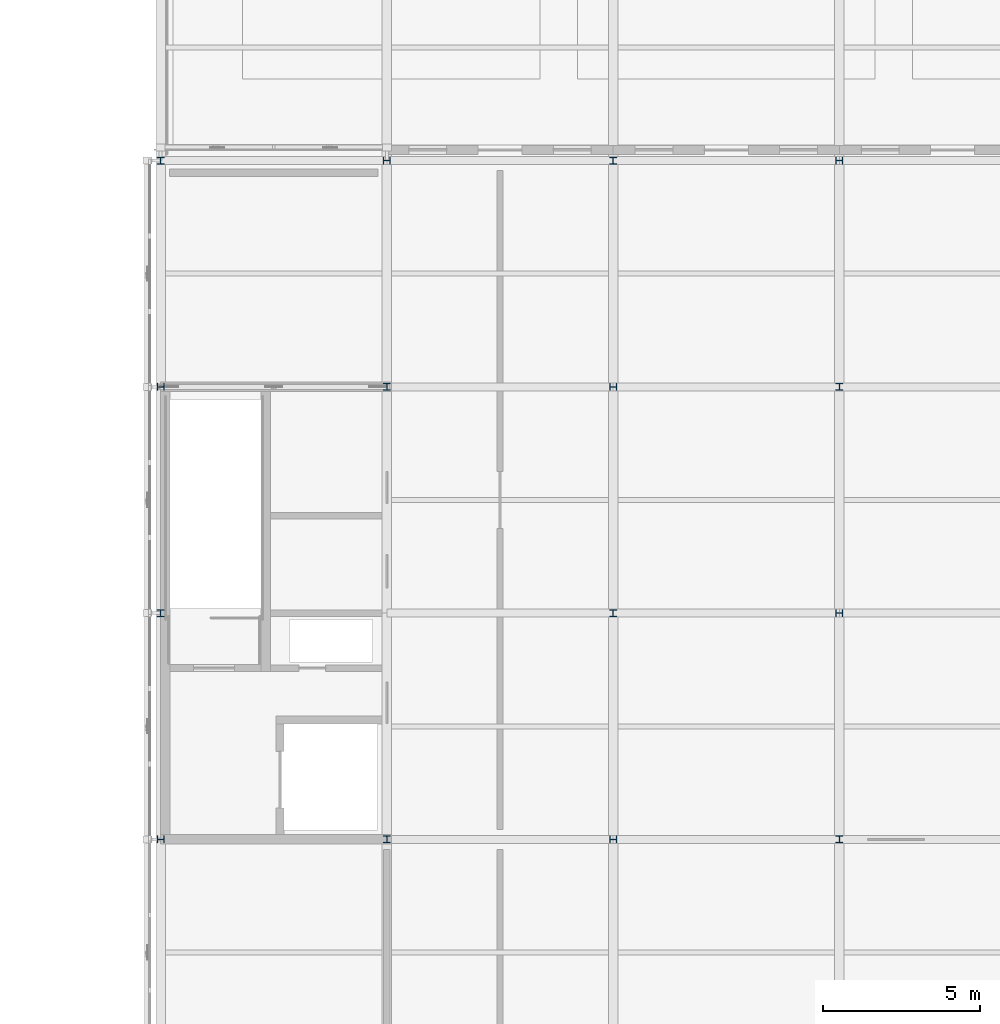
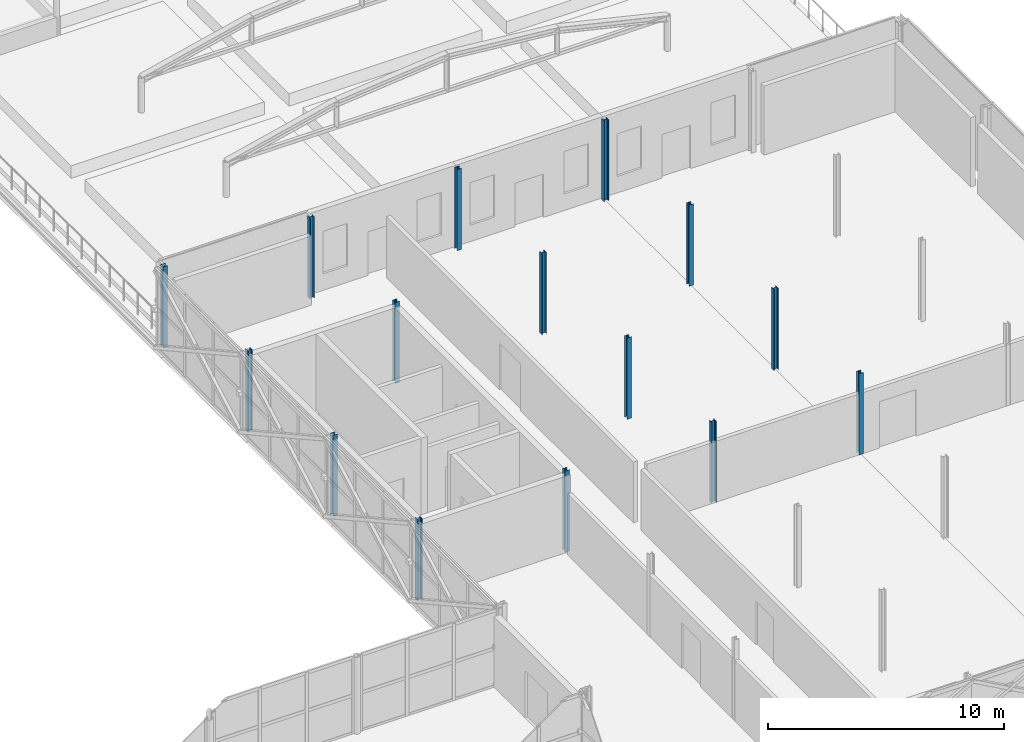
# One storey, part 16 of 126: 15 columns.
"""IFC4 building model written with IfcOpenShell, lengths in metres."""

from ifc_helpers import new_model, si_unit, direction, frame, origin, origin_2d, place, context, subcontext, project, spatial, i_section, extrude, material, material_profile, profile_set, type_object, element, save


model = new_model("IFC4")

# Units and contexts
model_context = context("Model", 3, precision=1e-05, world=origin(), true_north=direction((0.0, 1.0)))
body_context = subcontext(model_context, "Body", "Model", "MODEL_VIEW")
ifc_project = project(units=[si_unit("LENGTHUNIT", "METRE"), si_unit("AREAUNIT", "SQUARE_METRE"), si_unit("VOLUMEUNIT", "CUBIC_METRE"), si_unit("PLANEANGLEUNIT", "RADIAN"), si_unit("MASSUNIT", "GRAM", prefix="KILO")], contexts=[model_context])

# Site, building, storey
site_placement = place(None, origin())
site = spatial("IfcSite", under=ifc_project, at=site_placement, CompositionType="ELEMENT")
building_placement = place(site_placement, origin())
building = spatial("IfcBuilding", under=site, at=building_placement, Name="Zlatovets Crest Museum", CompositionType="ELEMENT")
storey_placement = place(building_placement, frame((0.0, 0.0, 8.699951171875)))
storey = spatial("IfcBuildingStorey", under=building, at=storey_placement, Name="L02", CompositionType="ELEMENT", Elevation=8.699951171875)

# Columns
ifc_material = material(Name="Structural steel S355J2", Category="steel")
ifc_material_profile = material_profile(ifc_material, i_section(OverallWidth=0.219970703125, OverallDepth=0.219970703125, WebThickness=0.009521484375, FlangeThickness=0.01611328125, FilletRadius=0.01806640625, at=origin_2d()), Name="HEB 220")
ifc_profile_set = profile_set([ifc_material_profile], Name="Structural steel S355J2")
column_type = type_object("IfcColumnType", Name="Col_C-19", PredefinedType="COLUMN", material=ifc_profile_set)
for number, where, z_axis, x_axis, name in (
    (1, (129.60009765625, 36.0, 0.0), (0.0, 0.0, 1.0), (0.0, 1.0, 0.0), "V5 L02 Column (129.6, 36.0)"),
    (2, (129.60009765625, 43.199951171875, 0.0), (0.0, 0.0, 1.0), (1.0, 0.0, 0.0), "V5 L02 Column (129.6, 43.2)"),
    (3, (129.60009765625, 50.39990234375, 0.0), (0.0, 0.0, 1.0), (0.0, 1.0, 0.0), "V5 L02 Column (129.6, 50.4)"),
    (4, (129.60009765625, 57.60009765625, 0.0), (0.0, 0.0, 1.0), (1.0, 0.0, 0.0), "V5 L02 Column (129.6, 57.6)"),
    (5, (136.800048828125, 36.0, 0.0), (0.0, 0.0, 1.0), (1.0, 0.0, 0.0), "V5 L02 Column (136.8, 36.0)"),
    (6, (136.800048828125, 50.39990234375, 0.0), (0.0, 0.0, 1.0), (1.0, 0.0, 0.0), "V5 L02 Column (136.8, 50.4)"),
    (7, (136.800048828125, 57.60009765625, 0.0), (0.0, 0.0, 1.0), (0.0, 1.0, 0.0), "V5 L02 Column (136.8, 57.6)"),
    (8, (144.0, 36.0, 0.0), (0.0, 0.0, 1.0), (0.0, 1.0, 0.0), "V5 L02 Column (144.0, 36.0)"),
    (9, (144.0, 43.199951171875, 0.0), (0.0, 0.0, 1.0), (1.0, 0.0, 0.0), "V5 L02 Column (144.0, 43.2)"),
    (10, (144.0, 50.39990234375, 0.0), (0.0, 0.0, 1.0), (0.0, 1.0, 0.0), "V5 L02 Column (144.0, 50.4)"),
    (11, (144.0, 57.60009765625, 0.0), (0.0, 0.0, 1.0), (1.0, 0.0, 0.0), "V5 L02 Column (144.0, 57.6)"),
    (12, (151.199951171875, 36.0, 0.0), (0.0, 0.0, 1.0), (1.0, 0.0, 0.0), "V5 L02 Column (151.2, 36.0)"),
    (13, (151.199951171875, 43.199951171875, 0.0), (0.0, 0.0, 1.0), (0.0, 1.0, 0.0), "V5 L02 Column (151.2, 43.2)"),
    (14, (151.199951171875, 50.39990234375, 0.0), (0.0, 0.0, 1.0), (1.0, 0.0, 0.0), "V5 L02 Column (151.2, 50.4)"),
    (15, (151.199951171875, 57.60009765625, 0.0), (0.0, 0.0, 1.0), (0.0, 1.0, 0.0), "V5 L02 Column (151.2, 57.6)"),
):
    element("IfcColumn", number, at=place(storey_placement, frame(where, z_axis=z_axis, x_axis=x_axis)), inside=storey, type_object=column_type, Name=name, PredefinedType="COLUMN", context=body_context, shape_type="SweptSolid", body=[
        extrude(i_section(OverallWidth=0.219970703125, OverallDepth=0.219970703125, WebThickness=0.009521484375, FlangeThickness=0.01611328125, FilletRadius=0.01806640625, at=origin_2d()), origin(), (0.0, 0.0, 1.0), 4.199951171875),
    ])

save(model, "model.ifc")
